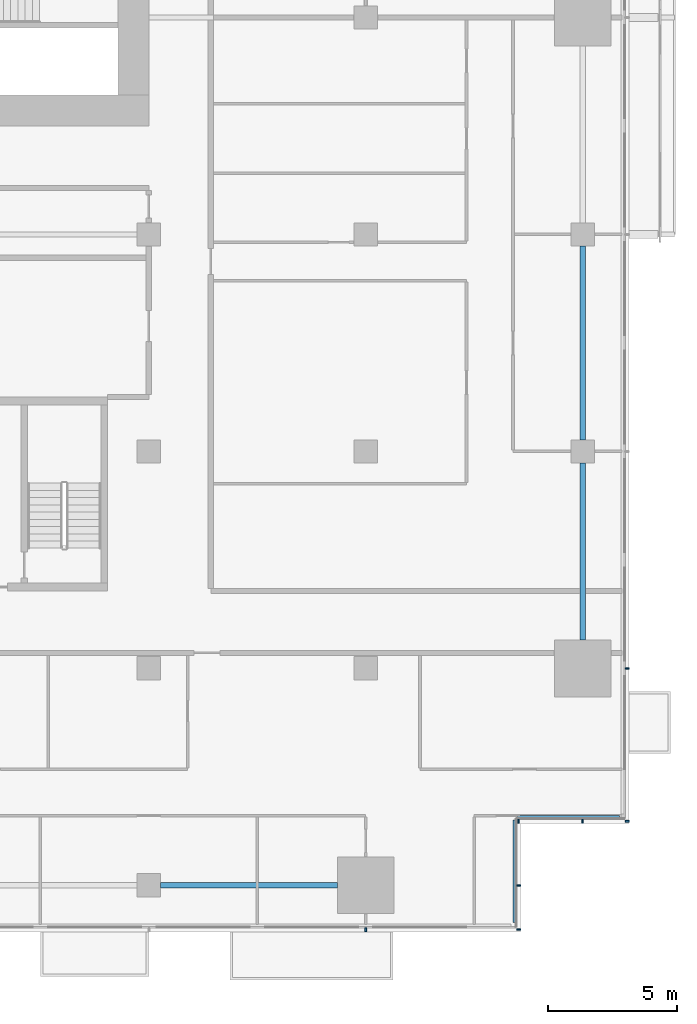
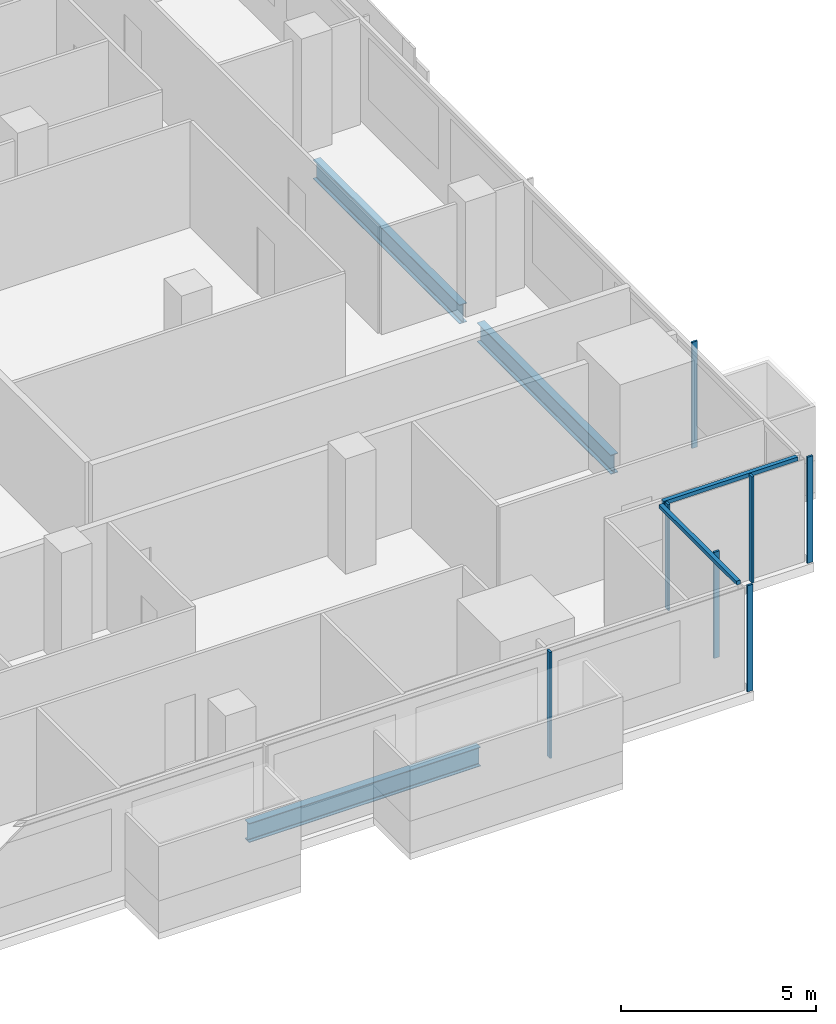
# One storey, part 11 of 29: 9 members, 3 beams, 4 elements without a shape of their own.
"""IFC4 building model written with IfcOpenShell, lengths in metres."""

import ifcopenshell
import ifcopenshell.guid

model = None  # the IFC model being written
_history = None  # IfcOwnerHistory: only IFC2X3 demands one
_inside = {}  # id of a spatial element -> (the spatial element, [elements in it])
_under = {}  # id of a project, library or spatial element -> (it, [spatial elements below it])
_declared = {}  # id of a project -> (the project, [libraries it declares])
_typed = {}  # id of a type object -> (the type object, [elements of that type])
_made_of = {}  # id of a material, layer set ... -> (it, [elements and type objects made of it])


def new_model(schema):
    """Start an empty IFC model of exactly this schema.

    Asked for "IFC4X3", IfcOpenShell would pick the latest addendum, in which some entities
    have other attributes; the version numbers below select the first issue.
    IFC2X3 requires an IfcOwnerHistory on every rooted entity: one is made here for all.
    """
    global model, _history
    if schema == "IFC4X3":
        model = ifcopenshell.file(schema_version=(4, 3, 0, 0))
    else:
        model = ifcopenshell.file(schema=schema)
    _inside.clear()
    _under.clear()
    _declared.clear()
    _typed.clear()
    _made_of.clear()
    _history = None
    if model.schema == "IFC2X3":
        org = make("IfcOrganization", Name="unknown")
        user = make(
            "IfcPersonAndOrganization",
            ThePerson=make("IfcPerson", FamilyName="unknown"),
            TheOrganization=org,
        )
        app = make(
            "IfcApplication",
            ApplicationDeveloper=org,
            Version="unknown",
            ApplicationFullName="unknown",
            ApplicationIdentifier="unknown",
        )
        _history = make(
            "IfcOwnerHistory",
            OwningUser=user,
            OwningApplication=app,
            ChangeAction="ADDED",
            CreationDate=0,
        )
    return model


def make(cls, **values):
    """One entity of the class cls with the attributes given. An attribute that is None is left unset."""
    return model.create_entity(
        cls, **{name: value for name, value in values.items() if value is not None}
    )


def rooted(cls, **values):
    """An entity with a GlobalId (a new one), such as an element, a storey or a relation."""
    return make(cls, GlobalId=ifcopenshell.guid.new(), OwnerHistory=_history, **values)


def si_unit(unit_type, name, prefix=None):
    """IfcSIUnit, for example si_unit("LENGTHUNIT", "METRE", prefix="MILLI")."""
    return make("IfcSIUnit", UnitType=unit_type, Prefix=prefix, Name=name)


def assignment(units):
    """IfcUnitAssignment: the units of a project."""
    return None if units is None else make("IfcUnitAssignment", Units=units)


def point(xyz):
    """IfcCartesianPoint."""
    return None if xyz is None else make("IfcCartesianPoint", Coordinates=xyz)


def direction(xyz):
    """IfcDirection."""
    return None if xyz is None else make("IfcDirection", DirectionRatios=xyz)


def frame(location, z_axis=None, x_axis=None):
    """IfcAxis2Placement3D, a coordinate frame: its origin and axes. An axis left out is left unset."""
    return make(
        "IfcAxis2Placement3D",
        Location=point(location),
        Axis=direction(z_axis),
        RefDirection=direction(x_axis),
    )


def frame_2d(location, x_axis=None):
    """IfcAxis2Placement2D, a coordinate frame in the plane: its origin and x axis."""
    return make(
        "IfcAxis2Placement2D", Location=point(location), RefDirection=direction(x_axis)
    )


def origin():
    """The frame at (0, 0, 0) with its axes left unset."""
    return frame((0.0, 0.0, 0.0))


def origin_2d():
    """The frame at (0, 0) in the plane with its x axis left unset."""
    return frame_2d((0.0, 0.0))


def place(relative_to, where):
    """IfcLocalPlacement: puts the frame where relative to a parent placement (None: the world)."""
    return make(
        "IfcLocalPlacement", PlacementRelTo=relative_to, RelativePlacement=where
    )


def context(
    kind, dimensions, precision=None, world=None, true_north=None, identifier=None
):
    """IfcGeometricRepresentationContext, for example the 3D "Model" context."""
    return make(
        "IfcGeometricRepresentationContext",
        ContextIdentifier=identifier,
        ContextType=kind,
        CoordinateSpaceDimension=dimensions,
        Precision=precision,
        WorldCoordinateSystem=world,
        TrueNorth=true_north,
    )


def subcontext(parent, identifier, kind, view, scale=None):
    """IfcGeometricRepresentationSubContext, for example "Body" below "Model"."""
    return make(
        "IfcGeometricRepresentationSubContext",
        ContextIdentifier=identifier,
        ContextType=kind,
        ParentContext=parent,
        TargetScale=scale,
        TargetView=view,
    )


def project(units=None, contexts=None):
    """IfcProject with its units and contexts."""
    return rooted(
        "IfcProject",
        Name="project",
        RepresentationContexts=contexts,
        UnitsInContext=assignment(units),
    )


def spatial(cls, under=None, at=None, **own):
    """A site, building, storey or space (cls), placed at a placement, below another one or the project."""
    s = rooted(cls, ObjectPlacement=at, **own)
    if under is not None:
        _under.setdefault(under.id(), (under, []))[1].append(s)
    return s


def profile(cls, at=None, kind="AREA", **sizes):
    """A parametric profile (cls). Its sizes go by their IFC names, for example OverallWidth=200.0."""
    return make(cls, ProfileType=kind, Position=at, **sizes)


def rectangle(**sizes):
    """IfcRectangleProfileDef."""
    return profile("IfcRectangleProfileDef", **sizes)


def i_section(**sizes):
    """IfcIShapeProfileDef."""
    return profile("IfcIShapeProfileDef", **sizes)


def extrude(swept, where, along, depth):
    """IfcExtrudedAreaSolid: the profile swept, set in the frame where, extruded along a direction by depth."""
    return make(
        "IfcExtrudedAreaSolid",
        SweptArea=swept,
        Position=where,
        ExtrudedDirection=direction(along),
        Depth=depth,
    )


def shape(context_of_items, identifier, shape_type, items):
    """IfcShapeRepresentation: the items that make up one representation, for example the "Body"."""
    return make(
        "IfcShapeRepresentation",
        ContextOfItems=context_of_items,
        RepresentationIdentifier=identifier,
        RepresentationType=shape_type,
        Items=items,
    )


def material(Name=None, Category=None):
    """IfcMaterial."""
    return make("IfcMaterial", Name=Name, Category=Category)


def material_profile(
    of_material, cross_section, Name=None, Category=None, Priority=None
):
    """IfcMaterialProfile: a cross section and its material."""
    return make(
        "IfcMaterialProfile",
        Name=Name,
        Material=of_material,
        Profile=cross_section,
        Priority=Priority,
        Category=Category,
    )


def profile_set(profiles, Name=None, composite=None):
    """IfcMaterialProfileSet."""
    return make(
        "IfcMaterialProfileSet",
        Name=Name,
        MaterialProfiles=profiles,
        CompositeProfile=composite,
    )


def made_of(thing, what):
    """Note that an element or type object is made of a material, layer set ...; save() writes the relation."""
    if what is not None:
        _made_of.setdefault(what.id(), (what, []))[1].append(thing)
    return thing


def type_object(cls, material=None, **own):
    """A type object (cls), such as IfcWallType, which elements share."""
    return made_of(rooted(cls, **own), material)


def element(
    cls,
    number,
    at=None,
    inside=None,
    cuts=None,
    type_object=None,
    material=None,
    context=None,
    identifier="Body",
    shape_type=None,
    held_by="IfcProductDefinitionShape",
    body=None,
    shapes=None,
    **own,
):
    """One element of the class cls, such as IfcWall. Its Tag is "e" and its number.

    at: its placement. inside: the storey or other place that contains it. cuts: it is an
    opening in that element (IfcRelVoidsElement). A single representation is given by context,
    identifier, shape_type and body (its items); several are given by shapes. held_by: the class
    of the entity that holds the representations. save() writes the other relations.
    """
    e = rooted(cls, Tag="e%d" % number, ObjectPlacement=at, **own)
    if body is not None:
        shapes = [shape(context, identifier, shape_type, body)]
    if shapes is not None:
        e.Representation = make(held_by, Representations=shapes)
    if inside is not None:
        _inside.setdefault(inside.id(), (inside, []))[1].append(e)
    if cuts is not None:
        rooted(
            "IfcRelVoidsElement", RelatingBuildingElement=cuts, RelatedOpeningElement=e
        )
    if type_object is not None:
        _typed.setdefault(type_object.id(), (type_object, []))[1].append(e)
    return made_of(e, material)


def aggregate(whole, parts):
    """IfcRelAggregates: a whole, such as a stair, and the parts it consists of."""
    return rooted("IfcRelAggregates", RelatingObject=whole, RelatedObjects=parts)


def save(model, path):
    """Write the relations noted so far, then the file.

    IfcRelAggregates (storeys below a building ...), IfcRelContainedInSpatialStructure (elements
    in a storey), IfcRelDefinesByType, IfcRelAssociatesMaterial and IfcRelDeclares: one each for
    every whole, place, type object, material and project.
    """
    for whole, parts in _under.values():
        aggregate(whole, parts)
    for where, things in _inside.values():
        rooted(
            "IfcRelContainedInSpatialStructure",
            RelatedElements=things,
            RelatingStructure=where,
        )
    for kind, things in _typed.values():
        rooted("IfcRelDefinesByType", RelatedObjects=things, RelatingType=kind)
    for what, things in _made_of.values():
        rooted("IfcRelAssociatesMaterial", RelatedObjects=things, RelatingMaterial=what)
    for by, libraries in _declared.values():
        rooted("IfcRelDeclares", RelatingContext=by, RelatedDefinitions=libraries)
    model.write(path)


model = new_model("IFC4")

# Units and contexts
model_context = context("Model", 3, precision=1e-05, world=origin(), true_north=direction((0.0, 1.0)))
body_context = subcontext(model_context, "Body", "Model", "MODEL_VIEW")
ifc_project = project(units=[si_unit("LENGTHUNIT", "METRE"), si_unit("AREAUNIT", "SQUARE_METRE"), si_unit("VOLUMEUNIT", "CUBIC_METRE"), si_unit("PLANEANGLEUNIT", "RADIAN"), si_unit("MASSUNIT", "GRAM", prefix="KILO")], contexts=[model_context])

# Site, building, storey
site_placement = place(None, origin())
site = spatial("IfcSite", under=ifc_project, at=site_placement, CompositionType="ELEMENT")
building_placement = place(site_placement, origin())
building = spatial("IfcBuilding", under=site, at=building_placement, Name="Saffron Gate Tower", CompositionType="ELEMENT")
storey_placement = place(building_placement, frame((0.0, 0.0, 55.199951171875)))
storey = spatial("IfcBuildingStorey", under=building, at=storey_placement, Name="L12", CompositionType="ELEMENT", Elevation=55.199951171875)

# Beams
ifc_material_1 = material(Name="Structural steel S355", Category="steel")
ifc_material_profile_1 = material_profile(ifc_material_1, i_section(OverallWidth=0.219970703125, OverallDepth=0.60009765625, WebThickness=0.011962890625, FlangeThickness=0.01904296875, FilletRadius=0.02392578125, at=origin_2d()))
ifc_profile_set_1 = profile_set([ifc_material_profile_1], Name="Structural steel S355")
beam_type = type_object("IfcBeamType", Name="B16 IPE 600", PredefinedType="SPANDREL", material=ifc_profile_set_1)
for number, where, z_axis, x_axis, name in (
    (1, (109.050048828125, 31.800048828125, -0.579833984375), (1.0, 0.0, 0.0), (0.0, 1.0, 0.0), "B16 SPANDREL BEAM"),
    (2, (125.39990234375, 41.300048828125, -0.579833984375), (0.0, 1.0, 0.0), (-1.0, 0.0, 0.0), "B16 SPANDREL BEAM"),
):
    element("IfcBeam", number, at=place(storey_placement, frame(where, z_axis=z_axis, x_axis=x_axis)), inside=storey, type_object=beam_type, Name=name, PredefinedType="SPANDREL", context=body_context, shape_type="SweptSolid", body=[
        extrude(i_section(OverallWidth=0.219970703125, OverallDepth=0.60009765625, WebThickness=0.011962890625, FlangeThickness=0.01904296875, FilletRadius=0.02392578125, at=origin_2d()), origin(), (0.0, 0.0, 1.0), 6.849853515625),
    ])
beam_placement = place(storey_placement, frame((125.39990234375, 49.050048828125, -0.579833984375), z_axis=(0.0, 1.0, 0.0), x_axis=(-1.0, 0.0, 0.0)))
element("IfcBeam", 3, at=beam_placement, inside=storey, type_object=beam_type, Name="B16 SPANDREL BEAM", PredefinedType="SPANDREL", context=body_context, shape_type="SweptSolid", body=[
    extrude(i_section(OverallWidth=0.219970703125, OverallDepth=0.60009765625, WebThickness=0.011962890625, FlangeThickness=0.01904296875, FilletRadius=0.02392578125, at=origin_2d()), origin(), (0.0, 0.0, 1.0), 7.5),
])

# Curtain wall, member
ifc_material_2 = material(Name="Aluminium, bronze anodised", Category="aluminium")
curtain_wall_type_1 = type_object("IfcCurtainWallType", Name="CWS1 curtain wall front facade", PredefinedType="NOTDEFINED", material=ifc_material_2)
curtain_wall_1_placement = place(storey_placement, origin())
curtain_wall_1 = element("IfcCurtainWall", 4, at=curtain_wall_1_placement, inside=storey, type_object=curtain_wall_type_1, Name="CWS1 run 1", PredefinedType="NOTDEFINED")
ifc_material_profile_2 = material_profile(ifc_material_2, rectangle(XDim=0.159912109375, YDim=0.06005859375, at=origin_2d()))
ifc_profile_set_2 = profile_set([ifc_material_profile_2], Name="Aluminium, bronze anodised")
member_type_1 = type_object("IfcMemberType", Name="CWS1 mullion 60x160", PredefinedType="MULLION", material=ifc_profile_set_2)
member_1_placement = place(storey_placement, frame((117.0, 30.080078125, 0.0), z_axis=(0.0, 0.0, 1.0), x_axis=(0.0, 1.0, 0.0)))
member_1 = element("IfcMember", 5, at=member_1_placement, type_object=member_type_1, Name="CWS1 mullion 9", PredefinedType="MULLION", context=body_context, shape_type="SweptSolid", body=[
    extrude(rectangle(XDim=0.159912109375, YDim=0.06005859375, at=origin_2d()), origin(), (0.0, 0.0, 1.0), 3.320068359375),
])
aggregate(curtain_wall_1, [member_1])

# Curtain wall, members
curtain_wall_type_2 = type_object("IfcCurtainWallType", Name="CWS2 curtain wall side facades", PredefinedType="NOTDEFINED", material=ifc_material_2)
curtain_wall_2_placement = place(storey_placement, origin())
curtain_wall_2 = element("IfcCurtainWall", 6, at=curtain_wall_2_placement, inside=storey, type_object=curtain_wall_type_2, Name="CWS2 run 4", PredefinedType="NOTDEFINED")
ifc_material_profile_3 = material_profile(ifc_material_2, rectangle(XDim=0.159912109375, YDim=0.06005859375, at=origin_2d()))
ifc_profile_set_3 = profile_set([ifc_material_profile_3], Name="Aluminium, bronze anodised")
member_type_2 = type_object("IfcMemberType", Name="CWS2 mullion 60x160", PredefinedType="MULLION", material=ifc_profile_set_3)
member_2_placement = place(storey_placement, frame((127.1201171875, 34.280029296875, 0.0), z_axis=(0.0, 0.0, 1.0), x_axis=(-1.0, 0.0, 0.0)))
member_2 = element("IfcMember", 7, at=member_2_placement, type_object=member_type_2, Name="CWS2 mullion 1", PredefinedType="MULLION", context=body_context, shape_type="SweptSolid", body=[
    extrude(rectangle(XDim=0.159912109375, YDim=0.06005859375, at=origin_2d()), origin(), (0.0, 0.0, 1.0), 3.320068359375),
])
member_3_placement = place(storey_placement, frame((127.1201171875, 40.199951171875, 0.0), z_axis=(0.0, 0.0, 1.0), x_axis=(-1.0, 0.0, 0.0)))
member_3 = element("IfcMember", 8, at=member_3_placement, type_object=member_type_2, Name="CWS2 mullion 2", PredefinedType="MULLION", context=body_context, shape_type="SweptSolid", body=[
    extrude(rectangle(XDim=0.159912109375, YDim=0.06005859375, at=origin_2d()), origin(), (0.0, 0.0, 1.0), 3.320068359375),
])
aggregate(curtain_wall_2, [member_2, member_3])

# Curtain wall, member
curtain_wall_type_3 = type_object("IfcCurtainWallType", Name="CWS4 curtain wall corner returns", PredefinedType="NOTDEFINED", material=ifc_material_2)
curtain_wall_3_placement = place(storey_placement, origin())
curtain_wall_3 = element("IfcCurtainWall", 9, at=curtain_wall_3_placement, inside=storey, type_object=curtain_wall_type_3, Name="CWS4 run 2", PredefinedType="NOTDEFINED")
ifc_material_profile_4 = material_profile(ifc_material_2, rectangle(XDim=0.1201171875, YDim=0.1201171875, at=origin_2d()))
ifc_profile_set_4 = profile_set([ifc_material_profile_4], Name="Aluminium, bronze anodised")
member_type_3 = type_object("IfcMemberType", Name="CWS4 head transom", PredefinedType="USERDEFINED", material=ifc_profile_set_4)
member_4_placement = place(storey_placement, frame((122.751953125, 30.367919921875, 3.260009765625), z_axis=(0.0, 1.0, 0.0), x_axis=(-1.0, 0.0, 0.0)))
member_4 = element("IfcMember", 10, at=member_4_placement, type_object=member_type_3, Name="CWS4 head transom", ObjectType="TRANSOM", PredefinedType="USERDEFINED", context=body_context, shape_type="SweptSolid", body=[
    extrude(rectangle(XDim=0.1201171875, YDim=0.1201171875, at=origin_2d()), origin(), (0.0, 0.0, 1.0), 3.9599609375),
])

curtain_wall_4_placement = place(storey_placement, origin())
curtain_wall_4 = element("IfcCurtainWall", 11, at=curtain_wall_4_placement, inside=storey, type_object=curtain_wall_type_3, Name="CWS4 run 3", PredefinedType="NOTDEFINED")
member_5_placement = place(storey_placement, frame((122.8720703125, 34.447998046875, 3.260009765625), z_axis=(1.0, 0.0, 0.0), x_axis=(0.0, 1.0, 0.0)))
member_5 = element("IfcMember", 12, at=member_5_placement, type_object=member_type_3, Name="CWS4 head transom", ObjectType="TRANSOM", PredefinedType="USERDEFINED", context=body_context, shape_type="SweptSolid", body=[
    extrude(rectangle(XDim=0.1201171875, YDim=0.1201171875, at=origin_2d()), origin(), (0.0, 0.0, 1.0), 3.9599609375),
])

# Member
ifc_material_profile_5 = material_profile(ifc_material_2, rectangle(XDim=0.159912109375, YDim=0.06005859375, at=origin_2d()))
ifc_profile_set_5 = profile_set([ifc_material_profile_5], Name="Aluminium, bronze anodised")
member_type_4 = type_object("IfcMemberType", Name="CWS4 mullion 60x160", PredefinedType="MULLION", material=ifc_profile_set_5)
member_6_placement = place(storey_placement, frame((122.919921875, 30.080078125, 0.0), z_axis=(0.0, 0.0, 1.0), x_axis=(-1.0, 0.0, 0.0)))
member_6 = element("IfcMember", 13, at=member_6_placement, type_object=member_type_4, Name="CWS4 mullion 1", PredefinedType="MULLION", context=body_context, shape_type="SweptSolid", body=[
    extrude(rectangle(XDim=0.159912109375, YDim=0.06005859375, at=origin_2d()), origin(), (0.0, 0.0, 1.0), 3.320068359375),
])

member_7_placement = place(storey_placement, frame((122.919921875, 31.800048828125, 0.0), z_axis=(0.0, 0.0, 1.0), x_axis=(-1.0, 0.0, 0.0)))
member_7 = element("IfcMember", 14, at=member_7_placement, type_object=member_type_4, Name="CWS4 mullion 2", PredefinedType="MULLION", context=body_context, shape_type="SweptSolid", body=[
    extrude(rectangle(XDim=0.159912109375, YDim=0.06005859375, at=origin_2d()), origin(), (0.0, 0.0, 1.0), 3.320068359375),
])

aggregate(curtain_wall_3, [member_6, member_7, member_4])

member_8_placement = place(storey_placement, frame((122.919921875, 34.280029296875, 0.0), z_axis=(0.0, 0.0, 1.0), x_axis=(0.0, 1.0, 0.0)))
member_8 = element("IfcMember", 15, at=member_8_placement, type_object=member_type_4, Name="CWS4 mullion 1", PredefinedType="MULLION", context=body_context, shape_type="SweptSolid", body=[
    extrude(rectangle(XDim=0.159912109375, YDim=0.06005859375, at=origin_2d()), origin(), (0.0, 0.0, 1.0), 3.320068359375),
])

member_9_placement = place(storey_placement, frame((125.39990234375, 34.280029296875, 0.0), z_axis=(0.0, 0.0, 1.0), x_axis=(0.0, 1.0, 0.0)))
member_9 = element("IfcMember", 16, at=member_9_placement, type_object=member_type_4, Name="CWS4 mullion 2", PredefinedType="MULLION", context=body_context, shape_type="SweptSolid", body=[
    extrude(rectangle(XDim=0.159912109375, YDim=0.06005859375, at=origin_2d()), origin(), (0.0, 0.0, 1.0), 3.320068359375),
])

aggregate(curtain_wall_4, [member_8, member_9, member_5])

save(model, "model.ifc")
